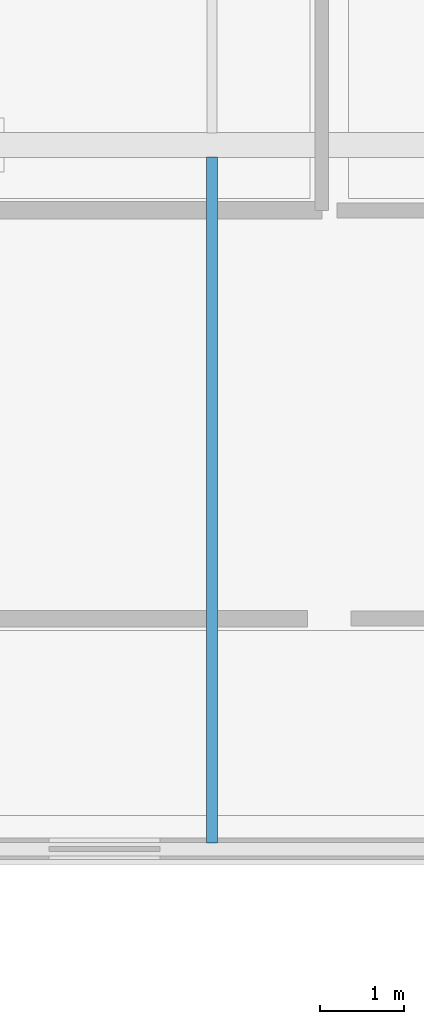
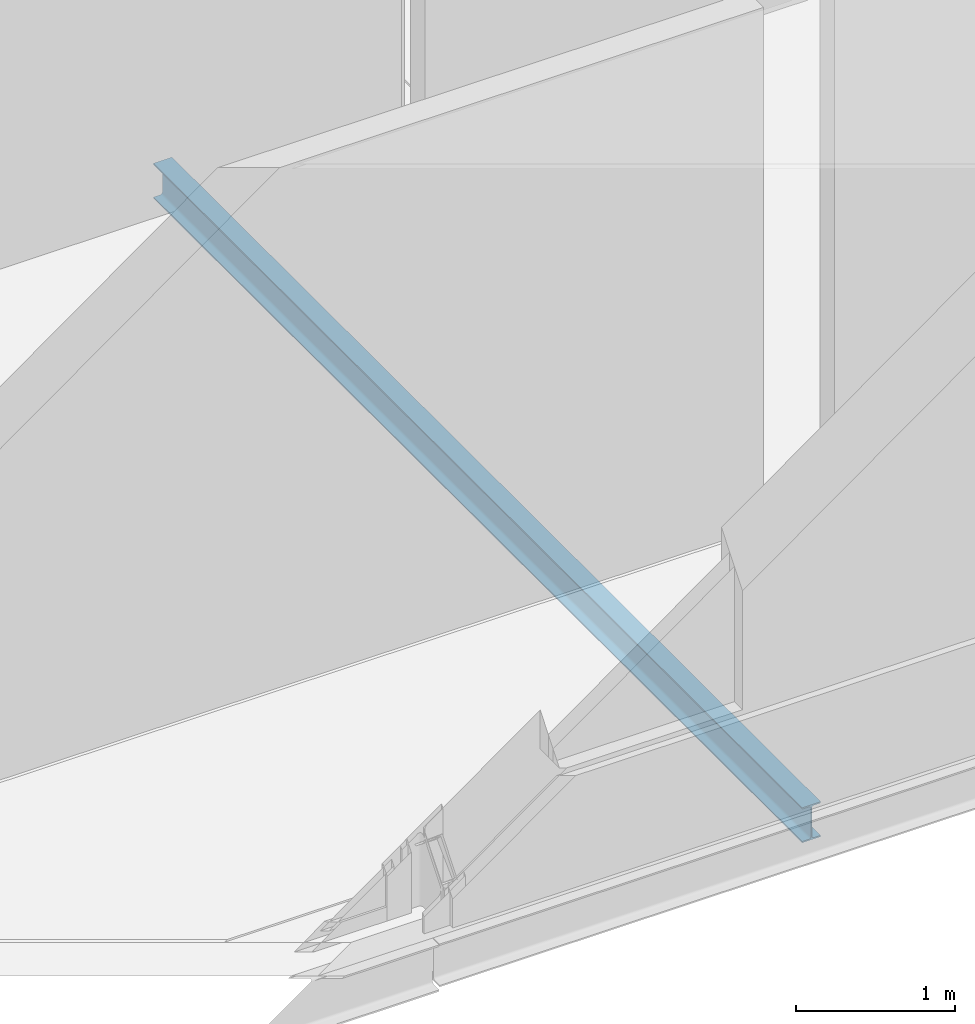
# One storey, part 10 of 35: 1 beam.
"""IFC4 building model written with IfcOpenShell, lengths in metres."""

import ifcopenshell
import ifcopenshell.guid

model = None  # the IFC model being written
_history = None  # IfcOwnerHistory: only IFC2X3 demands one
_inside = {}  # id of a spatial element -> (the spatial element, [elements in it])
_under = {}  # id of a project, library or spatial element -> (it, [spatial elements below it])
_declared = {}  # id of a project -> (the project, [libraries it declares])
_typed = {}  # id of a type object -> (the type object, [elements of that type])
_made_of = {}  # id of a material, layer set ... -> (it, [elements and type objects made of it])


def new_model(schema):
    """Start an empty IFC model of exactly this schema.

    Asked for "IFC4X3", IfcOpenShell would pick the latest addendum, in which some entities
    have other attributes; the version numbers below select the first issue.
    IFC2X3 requires an IfcOwnerHistory on every rooted entity: one is made here for all.
    """
    global model, _history
    if schema == "IFC4X3":
        model = ifcopenshell.file(schema_version=(4, 3, 0, 0))
    else:
        model = ifcopenshell.file(schema=schema)
    _inside.clear()
    _under.clear()
    _declared.clear()
    _typed.clear()
    _made_of.clear()
    _history = None
    if model.schema == "IFC2X3":
        org = make("IfcOrganization", Name="unknown")
        user = make(
            "IfcPersonAndOrganization",
            ThePerson=make("IfcPerson", FamilyName="unknown"),
            TheOrganization=org,
        )
        app = make(
            "IfcApplication",
            ApplicationDeveloper=org,
            Version="unknown",
            ApplicationFullName="unknown",
            ApplicationIdentifier="unknown",
        )
        _history = make(
            "IfcOwnerHistory",
            OwningUser=user,
            OwningApplication=app,
            ChangeAction="ADDED",
            CreationDate=0,
        )
    return model


def make(cls, **values):
    """One entity of the class cls with the attributes given. An attribute that is None is left unset."""
    return model.create_entity(
        cls, **{name: value for name, value in values.items() if value is not None}
    )


def rooted(cls, **values):
    """An entity with a GlobalId (a new one), such as an element, a storey or a relation."""
    return make(cls, GlobalId=ifcopenshell.guid.new(), OwnerHistory=_history, **values)


def si_unit(unit_type, name, prefix=None):
    """IfcSIUnit, for example si_unit("LENGTHUNIT", "METRE", prefix="MILLI")."""
    return make("IfcSIUnit", UnitType=unit_type, Prefix=prefix, Name=name)


def assignment(units):
    """IfcUnitAssignment: the units of a project."""
    return None if units is None else make("IfcUnitAssignment", Units=units)


def point(xyz):
    """IfcCartesianPoint."""
    return None if xyz is None else make("IfcCartesianPoint", Coordinates=xyz)


def direction(xyz):
    """IfcDirection."""
    return None if xyz is None else make("IfcDirection", DirectionRatios=xyz)


def frame(location, z_axis=None, x_axis=None):
    """IfcAxis2Placement3D, a coordinate frame: its origin and axes. An axis left out is left unset."""
    return make(
        "IfcAxis2Placement3D",
        Location=point(location),
        Axis=direction(z_axis),
        RefDirection=direction(x_axis),
    )


def frame_2d(location, x_axis=None):
    """IfcAxis2Placement2D, a coordinate frame in the plane: its origin and x axis."""
    return make(
        "IfcAxis2Placement2D", Location=point(location), RefDirection=direction(x_axis)
    )


def origin():
    """The frame at (0, 0, 0) with its axes left unset."""
    return frame((0.0, 0.0, 0.0))


def origin_2d():
    """The frame at (0, 0) in the plane with its x axis left unset."""
    return frame_2d((0.0, 0.0))


def place(relative_to, where):
    """IfcLocalPlacement: puts the frame where relative to a parent placement (None: the world)."""
    return make(
        "IfcLocalPlacement", PlacementRelTo=relative_to, RelativePlacement=where
    )


def context(
    kind, dimensions, precision=None, world=None, true_north=None, identifier=None
):
    """IfcGeometricRepresentationContext, for example the 3D "Model" context."""
    return make(
        "IfcGeometricRepresentationContext",
        ContextIdentifier=identifier,
        ContextType=kind,
        CoordinateSpaceDimension=dimensions,
        Precision=precision,
        WorldCoordinateSystem=world,
        TrueNorth=true_north,
    )


def subcontext(parent, identifier, kind, view, scale=None):
    """IfcGeometricRepresentationSubContext, for example "Body" below "Model"."""
    return make(
        "IfcGeometricRepresentationSubContext",
        ContextIdentifier=identifier,
        ContextType=kind,
        ParentContext=parent,
        TargetScale=scale,
        TargetView=view,
    )


def project(units=None, contexts=None):
    """IfcProject with its units and contexts."""
    return rooted(
        "IfcProject",
        Name="project",
        RepresentationContexts=contexts,
        UnitsInContext=assignment(units),
    )


def spatial(cls, under=None, at=None, **own):
    """A site, building, storey or space (cls), placed at a placement, below another one or the project."""
    s = rooted(cls, ObjectPlacement=at, **own)
    if under is not None:
        _under.setdefault(under.id(), (under, []))[1].append(s)
    return s


def profile(cls, at=None, kind="AREA", **sizes):
    """A parametric profile (cls). Its sizes go by their IFC names, for example OverallWidth=200.0."""
    return make(cls, ProfileType=kind, Position=at, **sizes)


def i_section(**sizes):
    """IfcIShapeProfileDef."""
    return profile("IfcIShapeProfileDef", **sizes)


def extrude(swept, where, along, depth):
    """IfcExtrudedAreaSolid: the profile swept, set in the frame where, extruded along a direction by depth."""
    return make(
        "IfcExtrudedAreaSolid",
        SweptArea=swept,
        Position=where,
        ExtrudedDirection=direction(along),
        Depth=depth,
    )


def shape(context_of_items, identifier, shape_type, items):
    """IfcShapeRepresentation: the items that make up one representation, for example the "Body"."""
    return make(
        "IfcShapeRepresentation",
        ContextOfItems=context_of_items,
        RepresentationIdentifier=identifier,
        RepresentationType=shape_type,
        Items=items,
    )


def material(Name=None, Category=None):
    """IfcMaterial."""
    return make("IfcMaterial", Name=Name, Category=Category)


def material_profile(
    of_material, cross_section, Name=None, Category=None, Priority=None
):
    """IfcMaterialProfile: a cross section and its material."""
    return make(
        "IfcMaterialProfile",
        Name=Name,
        Material=of_material,
        Profile=cross_section,
        Priority=Priority,
        Category=Category,
    )


def profile_set(profiles, Name=None, composite=None):
    """IfcMaterialProfileSet."""
    return make(
        "IfcMaterialProfileSet",
        Name=Name,
        MaterialProfiles=profiles,
        CompositeProfile=composite,
    )


def made_of(thing, what):
    """Note that an element or type object is made of a material, layer set ...; save() writes the relation."""
    if what is not None:
        _made_of.setdefault(what.id(), (what, []))[1].append(thing)
    return thing


def type_object(cls, material=None, **own):
    """A type object (cls), such as IfcWallType, which elements share."""
    return made_of(rooted(cls, **own), material)


def element(
    cls,
    number,
    at=None,
    inside=None,
    cuts=None,
    type_object=None,
    material=None,
    context=None,
    identifier="Body",
    shape_type=None,
    held_by="IfcProductDefinitionShape",
    body=None,
    shapes=None,
    **own,
):
    """One element of the class cls, such as IfcWall. Its Tag is "e" and its number.

    at: its placement. inside: the storey or other place that contains it. cuts: it is an
    opening in that element (IfcRelVoidsElement). A single representation is given by context,
    identifier, shape_type and body (its items); several are given by shapes. held_by: the class
    of the entity that holds the representations. save() writes the other relations.
    """
    e = rooted(cls, Tag="e%d" % number, ObjectPlacement=at, **own)
    if body is not None:
        shapes = [shape(context, identifier, shape_type, body)]
    if shapes is not None:
        e.Representation = make(held_by, Representations=shapes)
    if inside is not None:
        _inside.setdefault(inside.id(), (inside, []))[1].append(e)
    if cuts is not None:
        rooted(
            "IfcRelVoidsElement", RelatingBuildingElement=cuts, RelatedOpeningElement=e
        )
    if type_object is not None:
        _typed.setdefault(type_object.id(), (type_object, []))[1].append(e)
    return made_of(e, material)


def aggregate(whole, parts):
    """IfcRelAggregates: a whole, such as a stair, and the parts it consists of."""
    return rooted("IfcRelAggregates", RelatingObject=whole, RelatedObjects=parts)


def save(model, path):
    """Write the relations noted so far, then the file.

    IfcRelAggregates (storeys below a building ...), IfcRelContainedInSpatialStructure (elements
    in a storey), IfcRelDefinesByType, IfcRelAssociatesMaterial and IfcRelDeclares: one each for
    every whole, place, type object, material and project.
    """
    for whole, parts in _under.values():
        aggregate(whole, parts)
    for where, things in _inside.values():
        rooted(
            "IfcRelContainedInSpatialStructure",
            RelatedElements=things,
            RelatingStructure=where,
        )
    for kind, things in _typed.values():
        rooted("IfcRelDefinesByType", RelatedObjects=things, RelatingType=kind)
    for what, things in _made_of.values():
        rooted("IfcRelAssociatesMaterial", RelatedObjects=things, RelatingMaterial=what)
    for by, libraries in _declared.values():
        rooted("IfcRelDeclares", RelatingContext=by, RelatedDefinitions=libraries)
    model.write(path)


model = new_model("IFC4")

# Units and contexts
model_context = context("Model", 3, precision=1e-05, world=origin(), true_north=direction((0.0, 1.0)))
body_context = subcontext(model_context, "Body", "Model", "MODEL_VIEW")
ifc_project = project(units=[si_unit("LENGTHUNIT", "METRE"), si_unit("AREAUNIT", "SQUARE_METRE"), si_unit("VOLUMEUNIT", "CUBIC_METRE"), si_unit("PLANEANGLEUNIT", "RADIAN"), si_unit("MASSUNIT", "GRAM", prefix="KILO")], contexts=[model_context])

# Site, building, storey
site_placement = place(None, origin())
site = spatial("IfcSite", under=ifc_project, at=site_placement, CompositionType="ELEMENT")
building_placement = place(site_placement, origin())
building = spatial("IfcBuilding", under=site, at=building_placement, Name="Mersafa Astral City Hall", CompositionType="ELEMENT")
storey_placement = place(building_placement, frame((0.0, 0.0, 30.14990234375)))
storey = spatial("IfcBuildingStorey", under=building, at=storey_placement, Name="L07", CompositionType="ELEMENT", Elevation=30.14990234375)

# Beam
ifc_material = material(Name="Steel S355", Category="steel")
ifc_material_profile = material_profile(ifc_material, i_section(OverallWidth=0.135009765625, OverallDepth=0.27001953125, WebThickness=0.006591796875, FlangeThickness=0.01025390625, FilletRadius=0.014892578125, at=origin_2d()), Name="IPE 270")
ifc_profile_set = profile_set([ifc_material_profile], Name="Steel S355")
beam_type = type_object("IfcBeamType", Name="STR-BM-JOIST-IPE270", PredefinedType="JOIST", material=ifc_profile_set)
beam_placement = place(storey_placement, frame((137.199951171875, 109.27490234375, -0.309814453125), z_axis=(0.0, 1.0, 0.0), x_axis=(-1.0, 0.0, 0.0)))
element("IfcBeam", 1, at=beam_placement, inside=storey, type_object=beam_type, Name="L07 Composite secondary floor joist 900", PredefinedType="JOIST", context=body_context, shape_type="SweptSolid", body=[
    extrude(i_section(OverallWidth=0.135009765625, OverallDepth=0.27001953125, WebThickness=0.006591796875, FlangeThickness=0.01025390625, FilletRadius=0.014892578125, at=origin_2d()), origin(), (0.0, 0.0, 1.0), 8.18017578125),
])

save(model, "model.ifc")
